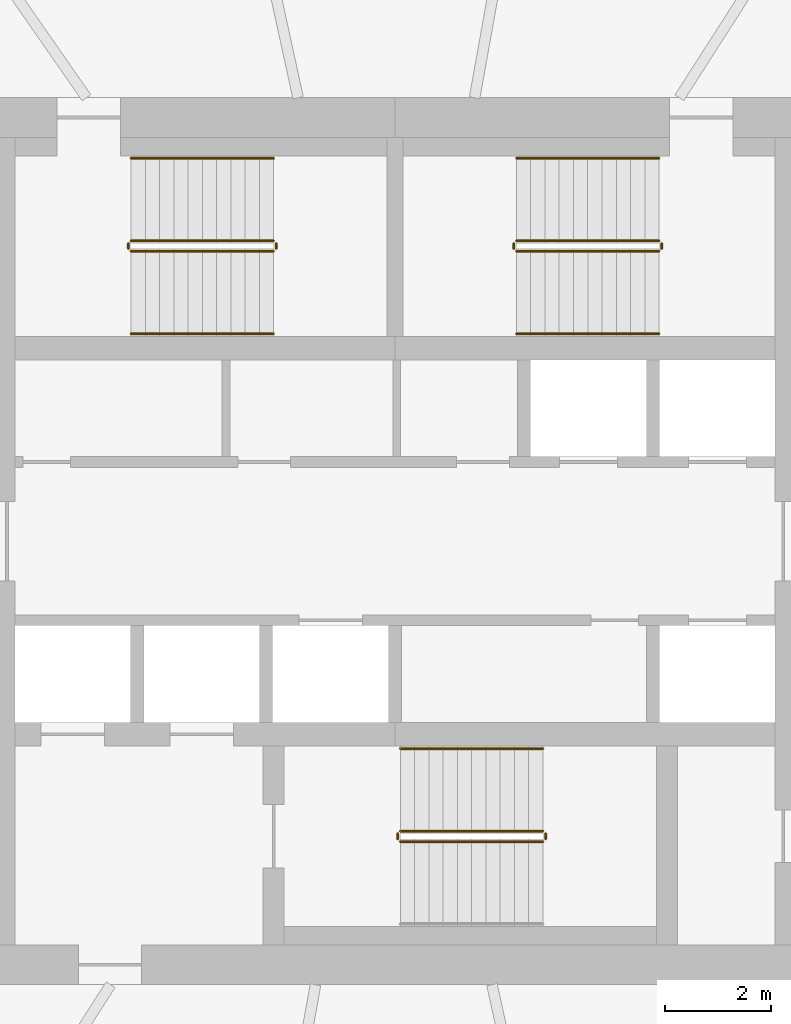
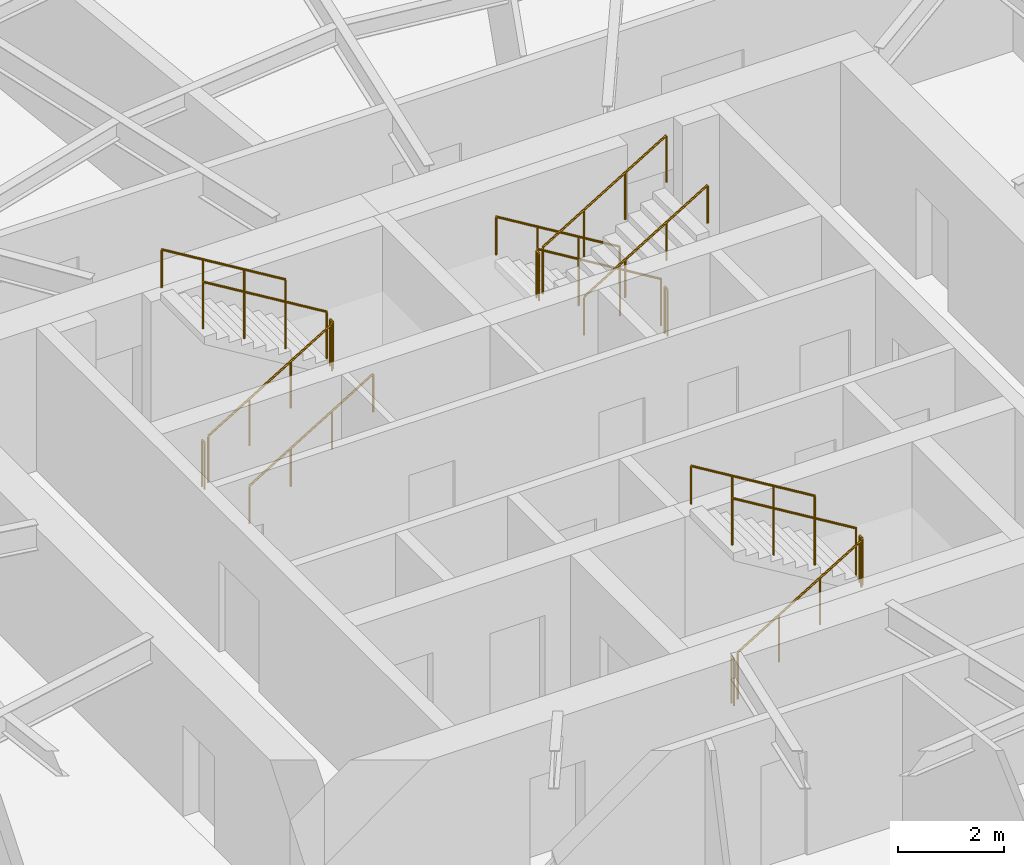
# One storey, part 13 of 14: 17 railings.
"""IFC4 building model written with IfcOpenShell, lengths in metres."""

from ifc_helpers import new_model, si_unit, direction, frame, origin, origin_2d, place, context, subcontext, project, spatial, circle, extrude, material, type_object, element, save


model = new_model("IFC4")

# Units and contexts
model_context = context("Model", 3, precision=1e-05, world=origin(), true_north=direction((0.0, 1.0)))
body_context = subcontext(model_context, "Body", "Model", "MODEL_VIEW")
ifc_project = project(units=[si_unit("LENGTHUNIT", "METRE"), si_unit("AREAUNIT", "SQUARE_METRE"), si_unit("VOLUMEUNIT", "CUBIC_METRE"), si_unit("PLANEANGLEUNIT", "RADIAN"), si_unit("MASSUNIT", "GRAM", prefix="KILO")], contexts=[model_context])

# Site, building, storey
site_placement = place(None, origin())
site = spatial("IfcSite", under=ifc_project, at=site_placement, CompositionType="ELEMENT")
building_placement = place(site_placement, origin())
building = spatial("IfcBuilding", under=site, at=building_placement, Name="Vermilion Reach Broadcast Tower", CompositionType="ELEMENT")
storey_placement = place(building_placement, frame((0.0, 0.0, 195.699951171875)))
storey = spatial("IfcBuildingStorey", under=building, at=storey_placement, Name="L47", CompositionType="ELEMENT", Elevation=195.699951171875)

# Railings
ifc_material_1 = material(Name="Stainless steel", Category="steel")
railing_type_1 = type_object("IfcRailingType", Name="Stair guard 1100", PredefinedType="GUARDRAIL", material=ifc_material_1)
railing_1_placement = place(storey_placement, frame((-11.0, 5.489990234375, 0.16357421875)))
element("IfcRailing", 1, at=railing_1_placement, inside=storey, type_object=railing_type_1, Name="L47 ST1 stair guard 1", PredefinedType="GUARDRAIL", context=body_context, shape_type="SweptSolid", body=[
    extrude(circle(Radius=0.02392578125, at=origin_2d()), frame((0.0, 0.0, 1.076171875), z_axis=(0.855178096276, 0.0, 0.518334277904), x_axis=(0.0, 1.0, 0.0)), (0.0, 0.0, 1.0), 3.1572265625),
    extrude(circle(Radius=0.02099609375, at=origin_2d()), origin(), (0.0, 0.0, 1.0), 1.052001953125),
    extrude(circle(Radius=0.02099609375, at=origin_2d()), frame((0.89990234375, 0.0, 0.54541015625)), (0.0, 0.0, 1.0), 1.052001953125),
    extrude(circle(Radius=0.02099609375, at=origin_2d()), frame((1.800048828125, 0.0, 1.091064453125)), (0.0, 0.0, 1.0), 1.052001953125),
    extrude(circle(Radius=0.02099609375, at=origin_2d()), frame((2.699951171875, 0.0, 1.636474609375)), (0.0, 0.0, 1.0), 1.052001953125),
])
railing_2_placement = place(storey_placement, frame((-8.25, 5.5400390625, 1.800048828125)))
element("IfcRailing", 2, at=railing_2_placement, inside=storey, type_object=railing_type_1, Name="L47 ST1 stair guard 2", PredefinedType="GUARDRAIL", context=body_context, shape_type="SweptSolid", body=[
    extrude(circle(Radius=0.02392578125, at=origin_2d()), frame((0.0, 0.0, 1.076171875), z_axis=(0.0, 1.0, 0.0), x_axis=(-1.0, 0.0, 0.0)), (0.0, 0.0, 1.0), 0.099853515625),
    extrude(circle(Radius=0.02099609375, at=origin_2d()), origin(), (0.0, 0.0, 1.0), 1.052001953125),
    extrude(circle(Radius=0.02099609375, at=origin_2d()), frame((0.0, 0.099853515625, 0.0)), (0.0, 0.0, 1.0), 1.052001953125),
])
railing_3_placement = place(storey_placement, frame((-8.300048828125, 5.68994140625, 1.963623046875)))
element("IfcRailing", 3, at=railing_3_placement, inside=storey, type_object=railing_type_1, Name="L47 ST1 stair guard 3", PredefinedType="GUARDRAIL", context=body_context, shape_type="SweptSolid", body=[
    extrude(circle(Radius=0.02392578125, at=origin_2d()), frame((0.0, 0.0, 1.076171875), z_axis=(-0.855178096276, 0.0, 0.518334277904), x_axis=(0.0, -1.0, 0.0)), (0.0, 0.0, 1.0), 3.1572265625),
    extrude(circle(Radius=0.02099609375, at=origin_2d()), origin(), (0.0, 0.0, 1.0), 1.052001953125),
    extrude(circle(Radius=0.02099609375, at=origin_2d()), frame((-0.89990234375, 0.0, 0.54541015625)), (0.0, 0.0, 1.0), 1.052001953125),
    extrude(circle(Radius=0.02099609375, at=origin_2d()), frame((-1.800048828125, 0.0, 1.091064453125)), (0.0, 0.0, 1.0), 1.052001953125),
    extrude(circle(Radius=0.02099609375, at=origin_2d()), frame((-2.699951171875, 0.0, 1.636474609375)), (0.0, 0.0, 1.0), 1.052001953125),
])
railing_4_placement = place(storey_placement, frame((-11.050048828125, 5.5400390625, 0.0)))
element("IfcRailing", 4, at=railing_4_placement, inside=storey, type_object=railing_type_1, Name="L47 ST1 stair guard 4", PredefinedType="GUARDRAIL", context=body_context, shape_type="SweptSolid", body=[
    extrude(circle(Radius=0.02392578125, at=origin_2d()), frame((0.0, 0.0, 1.076171875), z_axis=(0.0, 1.0, 0.0), x_axis=(-1.0, 0.0, 0.0)), (0.0, 0.0, 1.0), 0.099853515625),
    extrude(circle(Radius=0.02099609375, at=origin_2d()), origin(), (0.0, 0.0, 1.0), 1.052001953125),
    extrude(circle(Radius=0.02099609375, at=origin_2d()), frame((0.0, 0.099853515625, 0.0)), (0.0, 0.0, 1.0), 1.052001953125),
])
railing_5_placement = place(storey_placement, frame((-1.0, 5.68994140625, 0.16357421875)))
element("IfcRailing", 5, at=railing_5_placement, inside=storey, type_object=railing_type_1, Name="L47 ST2 stair guard 1", PredefinedType="GUARDRAIL", context=body_context, shape_type="SweptSolid", body=[
    extrude(circle(Radius=0.02392578125, at=origin_2d()), frame((0.0, 0.0, 1.076171875), z_axis=(-0.855178096276, 0.0, 0.518334277904), x_axis=(0.0, -1.0, 0.0)), (0.0, 0.0, 1.0), 3.1572265625),
    extrude(circle(Radius=0.02099609375, at=origin_2d()), origin(), (0.0, 0.0, 1.0), 1.052001953125),
    extrude(circle(Radius=0.02099609375, at=origin_2d()), frame((-0.89990234375, 0.0, 0.54541015625)), (0.0, 0.0, 1.0), 1.052001953125),
    extrude(circle(Radius=0.02099609375, at=origin_2d()), frame((-1.800048828125, 0.0, 1.091064453125)), (0.0, 0.0, 1.0), 1.052001953125),
    extrude(circle(Radius=0.02099609375, at=origin_2d()), frame((-2.699951171875, 0.0, 1.636474609375)), (0.0, 0.0, 1.0), 1.052001953125),
])
railing_6_placement = place(storey_placement, frame((-3.75, 5.639892578125, 1.800048828125)))
element("IfcRailing", 6, at=railing_6_placement, inside=storey, type_object=railing_type_1, Name="L47 ST2 stair guard 2", PredefinedType="GUARDRAIL", context=body_context, shape_type="SweptSolid", body=[
    extrude(circle(Radius=0.02392578125, at=origin_2d()), frame((0.0, 0.0, 1.076171875), z_axis=(0.0, -1.0, 0.0), x_axis=(1.0, 0.0, 0.0)), (0.0, 0.0, 1.0), 0.099853515625),
    extrude(circle(Radius=0.02099609375, at=origin_2d()), origin(), (0.0, 0.0, 1.0), 1.052001953125),
    extrude(circle(Radius=0.02099609375, at=origin_2d()), frame((0.0, -0.099853515625, 0.0)), (0.0, 0.0, 1.0), 1.052001953125),
])
railing_7_placement = place(storey_placement, frame((-3.699951171875, 5.489990234375, 1.963623046875)))
element("IfcRailing", 7, at=railing_7_placement, inside=storey, type_object=railing_type_1, Name="L47 ST2 stair guard 3", PredefinedType="GUARDRAIL", context=body_context, shape_type="SweptSolid", body=[
    extrude(circle(Radius=0.02392578125, at=origin_2d()), frame((0.0, 0.0, 1.076171875), z_axis=(0.855178096276, 0.0, 0.518334277904), x_axis=(0.0, 1.0, 0.0)), (0.0, 0.0, 1.0), 3.1572265625),
    extrude(circle(Radius=0.02099609375, at=origin_2d()), origin(), (0.0, 0.0, 1.0), 1.052001953125),
    extrude(circle(Radius=0.02099609375, at=origin_2d()), frame((0.89990234375, 0.0, 0.54541015625)), (0.0, 0.0, 1.0), 1.052001953125),
    extrude(circle(Radius=0.02099609375, at=origin_2d()), frame((1.800048828125, 0.0, 1.091064453125)), (0.0, 0.0, 1.0), 1.052001953125),
    extrude(circle(Radius=0.02099609375, at=origin_2d()), frame((2.699951171875, 0.0, 1.636474609375)), (0.0, 0.0, 1.0), 1.052001953125),
])
railing_8_placement = place(storey_placement, frame((-0.949951171875, 5.639892578125, 0.0)))
element("IfcRailing", 8, at=railing_8_placement, inside=storey, type_object=railing_type_1, Name="L47 ST2 stair guard 4", PredefinedType="GUARDRAIL", context=body_context, shape_type="SweptSolid", body=[
    extrude(circle(Radius=0.02392578125, at=origin_2d()), frame((0.0, 0.0, 1.076171875), z_axis=(0.0, -1.0, 0.0), x_axis=(1.0, 0.0, 0.0)), (0.0, 0.0, 1.0), 0.099853515625),
    extrude(circle(Radius=0.02099609375, at=origin_2d()), origin(), (0.0, 0.0, 1.0), 1.052001953125),
    extrude(circle(Radius=0.02099609375, at=origin_2d()), frame((0.0, -0.099853515625, 0.0)), (0.0, 0.0, 1.0), 1.052001953125),
])
railing_9_placement = place(storey_placement, frame((-5.89990234375, -5.68994140625, 0.16357421875)))
element("IfcRailing", 9, at=railing_9_placement, inside=storey, type_object=railing_type_1, Name="L47 ST3 stair guard 1", PredefinedType="GUARDRAIL", context=body_context, shape_type="SweptSolid", body=[
    extrude(circle(Radius=0.02392578125, at=origin_2d()), frame((0.0, 0.0, 1.076171875), z_axis=(0.855178096276, 0.0, 0.518334277904), x_axis=(0.0, 1.0, 0.0)), (0.0, 0.0, 1.0), 3.1572265625),
    extrude(circle(Radius=0.02099609375, at=origin_2d()), origin(), (0.0, 0.0, 1.0), 1.052001953125),
    extrude(circle(Radius=0.02099609375, at=origin_2d()), frame((0.89990234375, 0.0, 0.54541015625)), (0.0, 0.0, 1.0), 1.052001953125),
    extrude(circle(Radius=0.02099609375, at=origin_2d()), frame((1.800048828125, 0.0, 1.091064453125)), (0.0, 0.0, 1.0), 1.052001953125),
    extrude(circle(Radius=0.02099609375, at=origin_2d()), frame((2.699951171875, 0.0, 1.636474609375)), (0.0, 0.0, 1.0), 1.052001953125),
])
railing_10_placement = place(storey_placement, frame((-3.14990234375, -5.639892578125, 1.800048828125)))
element("IfcRailing", 10, at=railing_10_placement, inside=storey, type_object=railing_type_1, Name="L47 ST3 stair guard 2", PredefinedType="GUARDRAIL", context=body_context, shape_type="SweptSolid", body=[
    extrude(circle(Radius=0.02392578125, at=origin_2d()), frame((0.0, 0.0, 1.076171875), z_axis=(0.0, 1.0, 0.0), x_axis=(-1.0, 0.0, 0.0)), (0.0, 0.0, 1.0), 0.099853515625),
    extrude(circle(Radius=0.02099609375, at=origin_2d()), origin(), (0.0, 0.0, 1.0), 1.052001953125),
    extrude(circle(Radius=0.02099609375, at=origin_2d()), frame((0.0, 0.099853515625, 0.0)), (0.0, 0.0, 1.0), 1.052001953125),
])
railing_11_placement = place(storey_placement, frame((-3.199951171875, -5.489990234375, 1.963623046875)))
element("IfcRailing", 11, at=railing_11_placement, inside=storey, type_object=railing_type_1, Name="L47 ST3 stair guard 3", PredefinedType="GUARDRAIL", context=body_context, shape_type="SweptSolid", body=[
    extrude(circle(Radius=0.02392578125, at=origin_2d()), frame((0.0, 0.0, 1.076171875), z_axis=(-0.855178096276, 0.0, 0.518334277904), x_axis=(0.0, -1.0, 0.0)), (0.0, 0.0, 1.0), 3.1572265625),
    extrude(circle(Radius=0.02099609375, at=origin_2d()), origin(), (0.0, 0.0, 1.0), 1.052001953125),
    extrude(circle(Radius=0.02099609375, at=origin_2d()), frame((-0.89990234375, 0.0, 0.54541015625)), (0.0, 0.0, 1.0), 1.052001953125),
    extrude(circle(Radius=0.02099609375, at=origin_2d()), frame((-1.800048828125, 0.0, 1.091064453125)), (0.0, 0.0, 1.0), 1.052001953125),
    extrude(circle(Radius=0.02099609375, at=origin_2d()), frame((-2.699951171875, 0.0, 1.636474609375)), (0.0, 0.0, 1.0), 1.052001953125),
])
railing_12_placement = place(storey_placement, frame((-5.949951171875, -5.639892578125, 0.0)))
element("IfcRailing", 12, at=railing_12_placement, inside=storey, type_object=railing_type_1, Name="L47 ST3 stair guard 4", PredefinedType="GUARDRAIL", context=body_context, shape_type="SweptSolid", body=[
    extrude(circle(Radius=0.02392578125, at=origin_2d()), frame((0.0, 0.0, 1.076171875), z_axis=(0.0, 1.0, 0.0), x_axis=(-1.0, 0.0, 0.0)), (0.0, 0.0, 1.0), 0.099853515625),
    extrude(circle(Radius=0.02099609375, at=origin_2d()), origin(), (0.0, 0.0, 1.0), 1.052001953125),
    extrude(circle(Radius=0.02099609375, at=origin_2d()), frame((0.0, 0.099853515625, 0.0)), (0.0, 0.0, 1.0), 1.052001953125),
])
ifc_material_2 = material(Name="Stainless steel", Category="steel")
railing_type_2 = type_object("IfcRailingType", Name="Stair handrail", PredefinedType="HANDRAIL", material=ifc_material_2)
railing_13_placement = place(storey_placement, frame((-11.0, 3.929931640625, 0.16357421875)))
element("IfcRailing", 13, at=railing_13_placement, inside=storey, type_object=railing_type_2, Name="L47 ST1 stair handrail 1", PredefinedType="HANDRAIL", context=body_context, shape_type="SweptSolid", body=[
    extrude(circle(Radius=0.02392578125, at=origin_2d()), frame((0.0, 0.0, 0.8759765625), z_axis=(0.855178096276, 0.0, 0.518334277904), x_axis=(0.0, 1.0, 0.0)), (0.0, 0.0, 1.0), 3.1572265625),
    extrude(circle(Radius=0.02099609375, at=origin_2d()), origin(), (0.0, 0.0, 1.0), 0.851806640625),
    extrude(circle(Radius=0.02099609375, at=origin_2d()), frame((0.89990234375, 0.0, 0.54541015625)), (0.0, 0.0, 1.0), 0.851806640625),
    extrude(circle(Radius=0.02099609375, at=origin_2d()), frame((1.800048828125, 0.0, 1.091064453125)), (0.0, 0.0, 1.0), 0.851806640625),
    extrude(circle(Radius=0.02099609375, at=origin_2d()), frame((2.699951171875, 0.0, 1.636474609375)), (0.0, 0.0, 1.0), 0.851806640625),
])
for number, where, name in (
    (14, (-8.300048828125, 7.25, 1.963623046875), "L47 ST1 stair handrail 2"),
    (15, (-1.0, 7.25, 0.16357421875), "L47 ST2 stair handrail 1"),
):
    element("IfcRailing", number, at=place(storey_placement, frame(where)), inside=storey, type_object=railing_type_2, Name=name, PredefinedType="HANDRAIL", context=body_context, shape_type="SweptSolid", body=[
        extrude(circle(Radius=0.02392578125, at=origin_2d()), frame((0.0, 0.0, 0.8759765625), z_axis=(-0.855178096276, 0.0, 0.518334277904), x_axis=(0.0, -1.0, 0.0)), (0.0, 0.0, 1.0), 3.1572265625),
        extrude(circle(Radius=0.02099609375, at=origin_2d()), origin(), (0.0, 0.0, 1.0), 0.851806640625),
        extrude(circle(Radius=0.02099609375, at=origin_2d()), frame((-0.89990234375, 0.0, 0.54541015625)), (0.0, 0.0, 1.0), 0.851806640625),
        extrude(circle(Radius=0.02099609375, at=origin_2d()), frame((-1.800048828125, 0.0, 1.091064453125)), (0.0, 0.0, 1.0), 0.851806640625),
        extrude(circle(Radius=0.02099609375, at=origin_2d()), frame((-2.699951171875, 0.0, 1.636474609375)), (0.0, 0.0, 1.0), 0.851806640625),
    ])
railing_14_placement = place(storey_placement, frame((-3.699951171875, 3.929931640625, 1.963623046875)))
element("IfcRailing", 16, at=railing_14_placement, inside=storey, type_object=railing_type_2, Name="L47 ST2 stair handrail 2", PredefinedType="HANDRAIL", context=body_context, shape_type="SweptSolid", body=[
    extrude(circle(Radius=0.02392578125, at=origin_2d()), frame((0.0, 0.0, 0.8759765625), z_axis=(0.855178096276, 0.0, 0.518334277904), x_axis=(0.0, 1.0, 0.0)), (0.0, 0.0, 1.0), 3.1572265625),
    extrude(circle(Radius=0.02099609375, at=origin_2d()), origin(), (0.0, 0.0, 1.0), 0.851806640625),
    extrude(circle(Radius=0.02099609375, at=origin_2d()), frame((0.89990234375, 0.0, 0.54541015625)), (0.0, 0.0, 1.0), 0.851806640625),
    extrude(circle(Radius=0.02099609375, at=origin_2d()), frame((1.800048828125, 0.0, 1.091064453125)), (0.0, 0.0, 1.0), 0.851806640625),
    extrude(circle(Radius=0.02099609375, at=origin_2d()), frame((2.699951171875, 0.0, 1.636474609375)), (0.0, 0.0, 1.0), 0.851806640625),
])
railing_15_placement = place(storey_placement, frame((-3.199951171875, -3.929931640625, 1.963623046875)))
element("IfcRailing", 17, at=railing_15_placement, inside=storey, type_object=railing_type_2, Name="L47 ST3 stair handrail 2", PredefinedType="HANDRAIL", context=body_context, shape_type="SweptSolid", body=[
    extrude(circle(Radius=0.02392578125, at=origin_2d()), frame((0.0, 0.0, 0.8759765625), z_axis=(-0.855178096276, 0.0, 0.518334277904), x_axis=(0.0, -1.0, 0.0)), (0.0, 0.0, 1.0), 3.1572265625),
    extrude(circle(Radius=0.02099609375, at=origin_2d()), origin(), (0.0, 0.0, 1.0), 0.851806640625),
    extrude(circle(Radius=0.02099609375, at=origin_2d()), frame((-0.89990234375, 0.0, 0.54541015625)), (0.0, 0.0, 1.0), 0.851806640625),
    extrude(circle(Radius=0.02099609375, at=origin_2d()), frame((-1.800048828125, 0.0, 1.091064453125)), (0.0, 0.0, 1.0), 0.851806640625),
    extrude(circle(Radius=0.02099609375, at=origin_2d()), frame((-2.699951171875, 0.0, 1.636474609375)), (0.0, 0.0, 1.0), 0.851806640625),
])

save(model, "model.ifc")
